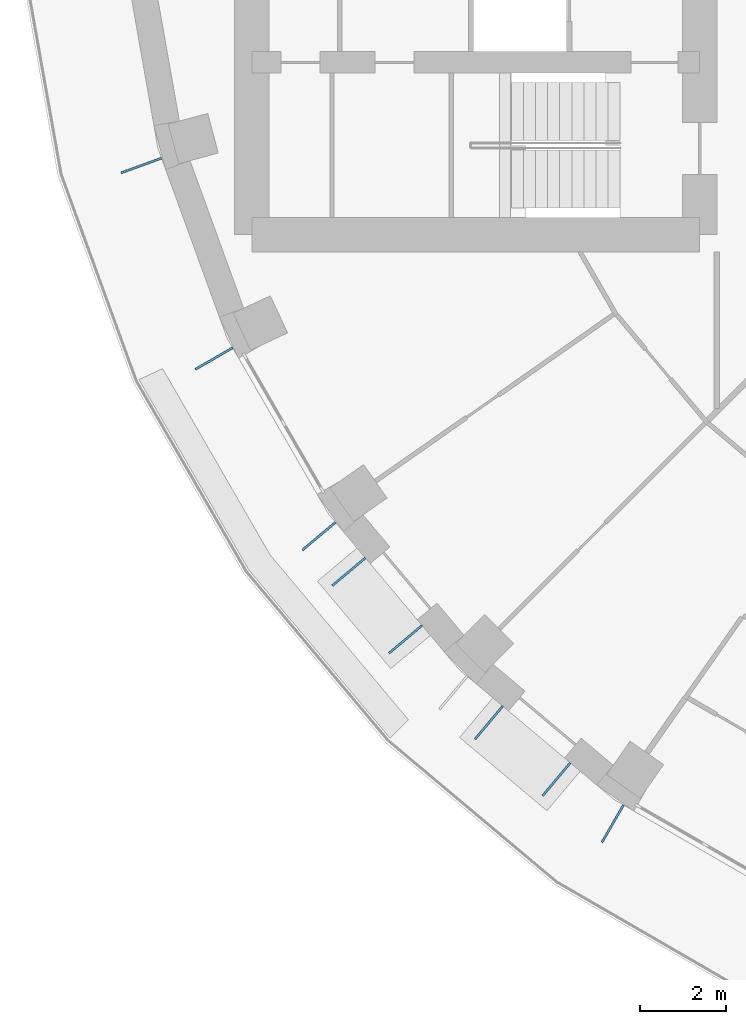
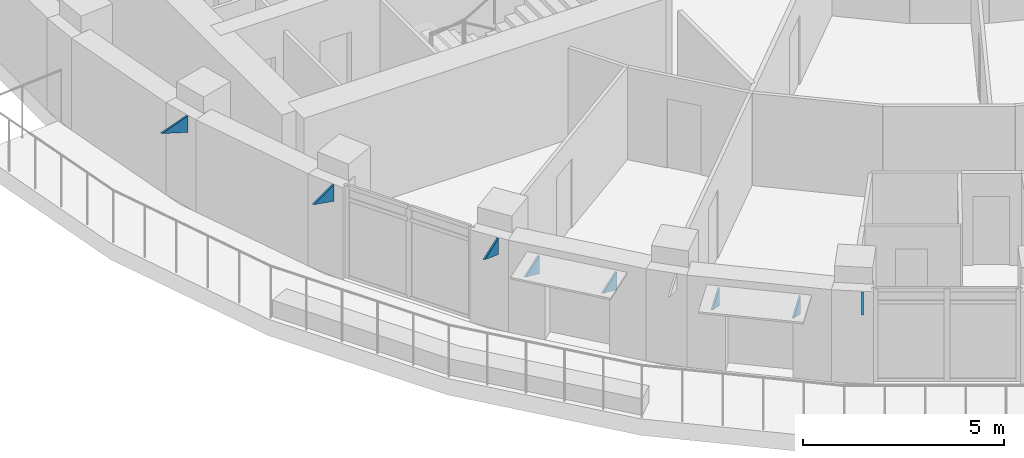
# One storey, part 15 of 16: 8 discrete accessories.
"""IFC4 building model written with IfcOpenShell, lengths in metres."""

from ifc_helpers import new_model, si_unit, direction, frame, origin, place, context, subcontext, project, spatial, polyline, outline, extrude, material, layer, layer_set, type_object, element, save


model = new_model("IFC4")

# Units and contexts
model_context = context("Model", 3, precision=1e-05, world=origin(), true_north=direction((0.0, 1.0)))
body_context = subcontext(model_context, "Body", "Model", "MODEL_VIEW")
ifc_project = project(units=[si_unit("LENGTHUNIT", "METRE"), si_unit("AREAUNIT", "SQUARE_METRE"), si_unit("VOLUMEUNIT", "CUBIC_METRE"), si_unit("PLANEANGLEUNIT", "RADIAN"), si_unit("MASSUNIT", "GRAM", prefix="KILO")], contexts=[model_context])

# Site, building, storey
site_placement = place(None, origin())
site = spatial("IfcSite", under=ifc_project, at=site_placement, CompositionType="ELEMENT")
building_placement = place(site_placement, origin())
building = spatial("IfcBuilding", under=site, at=building_placement, Name="Saqina Gate Tower", CompositionType="ELEMENT")
storey_placement = place(building_placement, frame((0.0, 0.0, 121.60009765625)))
storey = spatial("IfcBuildingStorey", under=building, at=storey_placement, Name="L34", CompositionType="ELEMENT", Elevation=121.60009765625)

# Discrete accessories
ifc_material_1 = material(Name="Galvanised steel", Category="steel")
ifc_layer_1 = layer(ifc_material_1, 0.050048828125)
ifc_layer_set_1 = layer_set([ifc_layer_1], Name="BR-AWNING")
discrete_accessory_type_1 = type_object("IfcDiscreteAccessoryType", Name="BR-AWNING", PredefinedType="BRACKET", material=ifc_layer_set_1)
discrete_accessory_1_placement = place(storey_placement, frame((-21.24658203125, -16.52392578125, 1.974853515625), z_axis=(0.64277405138, -0.766055819685, 0.0), x_axis=(0.0, 0.0, 1.0)))
element("IfcDiscreteAccessory", 1, at=discrete_accessory_1_placement, inside=storey, type_object=discrete_accessory_type_1, Name="Awning bracket L34 facet 22", PredefinedType="BRACKET", context=body_context, shape_type="SweptSolid", body=[
    extrude(outline(polyline([(0.0, 0.0), (0.550048828125, 0.0), (0.550048828125, 1.0000750096322273), (0.0, 0.0)])), origin(), (0.0, 0.0, -1.0), 0.050048828125),
])
discrete_accessory_2_placement = place(storey_placement, frame((-19.930419921875, -18.0927734375, 1.974853515625), z_axis=(0.642894271969, -0.765954930181, 0.0), x_axis=(0.0, 0.0, 1.0)))
element("IfcDiscreteAccessory", 2, at=discrete_accessory_2_placement, inside=storey, type_object=discrete_accessory_type_1, Name="Awning bracket L34 facet 22", PredefinedType="BRACKET", context=body_context, shape_type="SweptSolid", body=[
    extrude(outline(polyline([(0.0, 0.0), (0.550048828125, 0.0), (0.550048828125, 0.9998879966000863), (0.0, 0.0)])), origin(), (0.0, 0.0, -1.0), 0.050048828125),
])
for number, where, z_axis, x_axis, name in (
    (3, (-18.054443359375, -19.96240234375, 1.974853515625), (0.766055819685, -0.64277405138, 0.0), (0.0, 0.0, 1.0), "Awning bracket L34 facet 23"),
    (4, (-16.485595703125, -21.27880859375, 1.974853515625), (0.766055819685, -0.64277405138, 0.0), (0.0, 0.0, 1.0), "Awning bracket L34 facet 23"),
):
    element("IfcDiscreteAccessory", number, at=place(storey_placement, frame(where, z_axis=z_axis, x_axis=x_axis)), inside=storey, type_object=discrete_accessory_type_1, Name=name, PredefinedType="BRACKET", context=body_context, shape_type="SweptSolid", body=[
        extrude(outline(polyline([(0.0, 0.0), (0.550048828125, 0.0), (0.550048828125, 1.0000750096322273), (0.0, 0.0)])), origin(), (0.0, 0.0, -1.0), 0.050048828125),
    ])
ifc_material_2 = material(Name="Galvanised steel", Category="steel")
ifc_layer_2 = layer(ifc_material_2, 0.050048828125)
ifc_layer_set_2 = layer_set([ifc_layer_2], Name="BR-GUSSET")
discrete_accessory_type_2 = type_object("IfcDiscreteAccessoryType", Name="BR-GUSSET", PredefinedType="BRACKET", material=ifc_layer_set_2)
discrete_accessory_3_placement = place(storey_placement, frame((-25.98583984375, -7.24658203125, 2.2998046875), z_axis=(0.341821477669, -0.939764905391, 0.0), x_axis=(0.0, 0.0, 1.0)))
element("IfcDiscreteAccessory", 5, at=discrete_accessory_3_placement, inside=storey, type_object=discrete_accessory_type_2, Name="Terrace slab bracket L35 1", PredefinedType="BRACKET", context=body_context, shape_type="SweptSolid", body=[
    extrude(outline(polyline([(0.0, 0.0), (0.5, 0.0), (0.5, 0.999928024801219), (0.0, 0.0)])), origin(), (0.0, 0.0, -1.0), 0.050048828125),
])
discrete_accessory_4_placement = place(storey_placement, frame((-24.332763671875, -11.648681640625, 2.2998046875), z_axis=(0.50002537861, -0.866010750942, 0.0), x_axis=(0.0, 0.0, 1.0)))
element("IfcDiscreteAccessory", 6, at=discrete_accessory_4_placement, inside=storey, type_object=discrete_accessory_type_2, Name="Terrace slab bracket L35 2", PredefinedType="BRACKET", context=body_context, shape_type="SweptSolid", body=[
    extrude(outline(polyline([(0.0, 0.0), (0.5, 0.0), (0.5, 0.9999492453569568), (0.0, 0.0)])), origin(), (0.0, 0.0, -1.0), 0.050048828125),
])
discrete_accessory_5_placement = place(storey_placement, frame((-21.940185546875, -15.697265625, 2.2998046875), z_axis=(0.64277405138, -0.766055819685, 0.0), x_axis=(0.0, 0.0, 1.0)))
element("IfcDiscreteAccessory", 7, at=discrete_accessory_5_placement, inside=storey, type_object=discrete_accessory_type_2, Name="Terrace slab bracket L35 3", PredefinedType="BRACKET", context=body_context, shape_type="SweptSolid", body=[
    extrude(outline(polyline([(0.0, 0.0), (0.5, 0.0), (0.5, 1.0000750096322275), (0.0, 0.0)])), origin(), (0.0, 0.0, -1.0), 0.050048828125),
])
discrete_accessory_6_placement = place(storey_placement, frame((-15.248291015625, -22.254638671875, 2.2998046875), z_axis=(0.866010750942, -0.50002537861, 0.0), x_axis=(0.0, 0.0, 1.0)))
element("IfcDiscreteAccessory", 8, at=discrete_accessory_6_placement, inside=storey, type_object=discrete_accessory_type_2, Name="Terrace slab bracket L35 5", PredefinedType="BRACKET", context=body_context, shape_type="SweptSolid", body=[
    extrude(outline(polyline([(0.0, 0.0), (0.5, 0.0), (0.5, 0.9999492453569568), (0.0, 0.0)])), origin(), (0.0, 0.0, -1.0), 0.050048828125),
])

save(model, "model.ifc")
